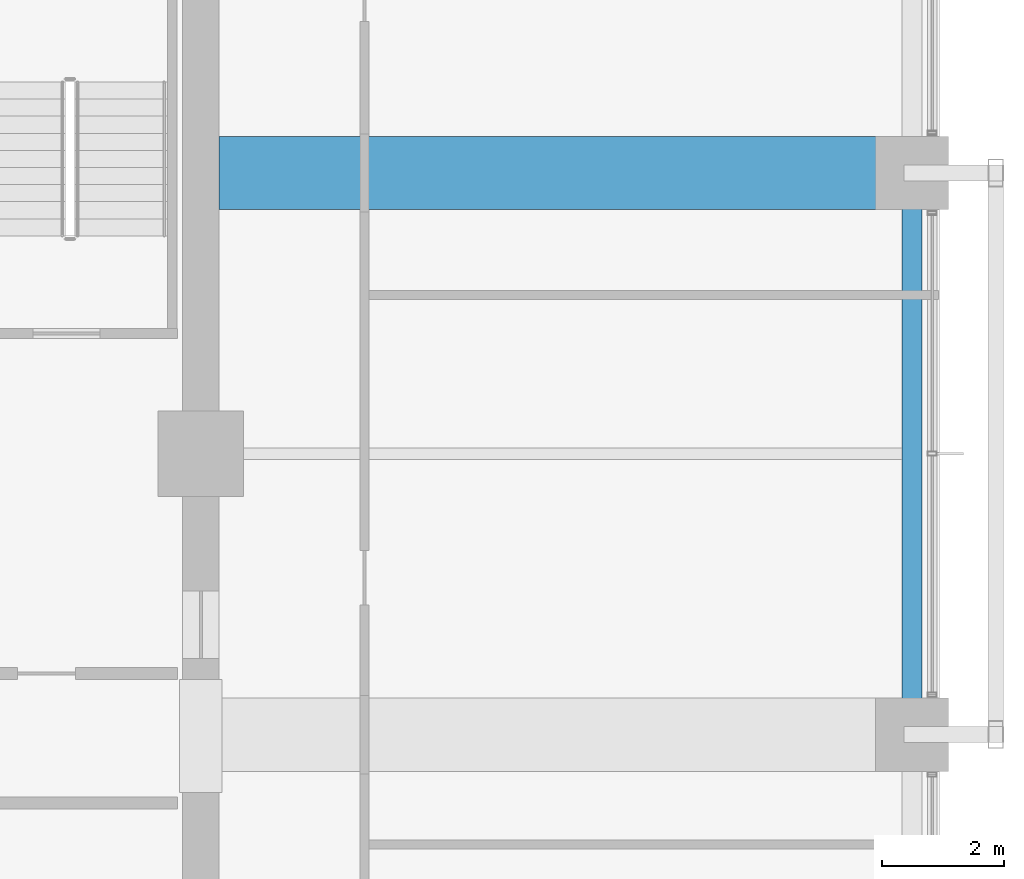
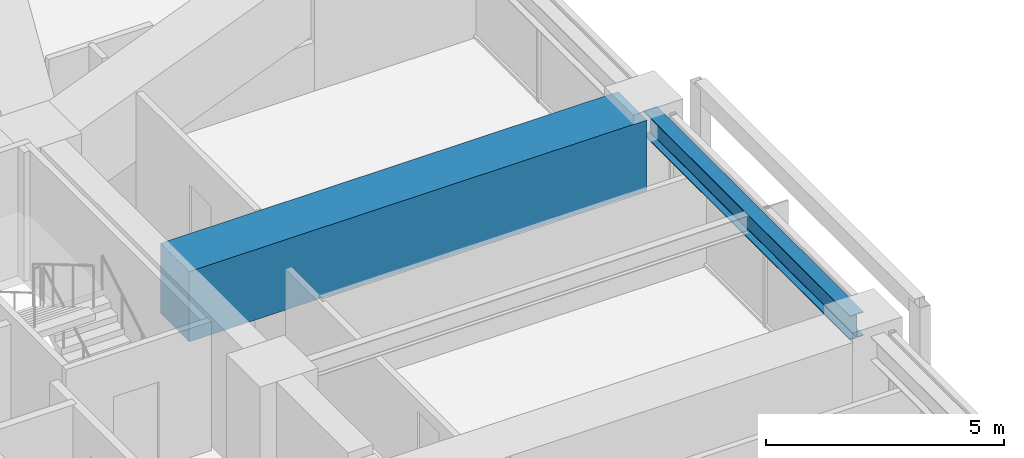
# One storey, part 14 of 37: 2 beams.
"""IFC4 building model written with IfcOpenShell, lengths in metres."""

from ifc_helpers import new_model, si_unit, direction, frame, origin, origin_2d, place, context, subcontext, project, spatial, rectangle, i_section, extrude, material, material_profile, profile_set, type_object, element, save


model = new_model("IFC4")

# Units and contexts
model_context = context("Model", 3, precision=1e-05, world=origin(), true_north=direction((0.0, 1.0)))
body_context = subcontext(model_context, "Body", "Model", "MODEL_VIEW")
ifc_project = project(units=[si_unit("LENGTHUNIT", "METRE"), si_unit("AREAUNIT", "SQUARE_METRE"), si_unit("VOLUMEUNIT", "CUBIC_METRE"), si_unit("PLANEANGLEUNIT", "RADIAN"), si_unit("MASSUNIT", "GRAM", prefix="KILO")], contexts=[model_context])

# Site, building, storey
site_placement = place(None, origin())
site = spatial("IfcSite", under=ifc_project, at=site_placement, CompositionType="ELEMENT")
building_placement = place(site_placement, origin())
building = spatial("IfcBuilding", under=site, at=building_placement, Name="Kolvaren Belvedere", CompositionType="ELEMENT")
storey_placement = place(building_placement, frame((0.0, 0.0, 56.800048828125)))
storey = spatial("IfcBuildingStorey", under=building, at=storey_placement, Name="L16", CompositionType="ELEMENT", Elevation=56.800048828125)

# Beams
ifc_material_1 = material(Name="Structural steel ASTM A992 Grade 50", Category="steel")
ifc_material_profile_1 = material_profile(ifc_material_1, i_section(OverallWidth=0.324951171875, OverallDepth=0.615966796875, WebThickness=0.013916015625, FlangeThickness=0.021484375, FilletRadius=0.02001953125, at=origin_2d()), Name="W24X117")
ifc_profile_set_1 = profile_set([ifc_material_profile_1], Name="Structural steel ASTM A992 Grade 50")
beam_type_1 = type_object("IfcBeamType", Name="BM-SPAN-W24X117", PredefinedType="SPANDREL", material=ifc_profile_set_1)
beam_1_placement = place(storey_placement, frame((21.550048828125, -4.330078125, 2.751953125), z_axis=(0.0, 1.0, 0.0), x_axis=(-1.0, 0.0, 0.0)))
element("IfcBeam", 1, at=beam_1_placement, inside=storey, type_object=beam_type_1, Name="L16 Perimeter Spandrel E2-E3", PredefinedType="SPANDREL", context=body_context, shape_type="SweptSolid", body=[
    extrude(i_section(OverallWidth=0.324951171875, OverallDepth=0.615966796875, WebThickness=0.013916015625, FlangeThickness=0.021484375, FilletRadius=0.02001953125, at=origin_2d()), origin(), (0.0, 0.0, 1.0), 8.66015625),
])
ifc_material_2 = material(Name="Concrete C50/60", Category="concrete")
ifc_material_profile_2 = material_profile(ifc_material_2, rectangle(XDim=1.199951171875, YDim=1.800048828125, at=origin_2d()), Name="RC 1200X1800")
ifc_profile_set_2 = profile_set([ifc_material_profile_2], Name="Concrete C50/60")
beam_type_2 = type_object("IfcBeamType", Name="BM-TG-1800", PredefinedType="BEAM", material=ifc_profile_set_2)
beam_2_placement = place(storey_placement, frame((10.199951171875, 4.60009765625, 2.159912109375), z_axis=(1.0, 0.0, 0.0), x_axis=(0.0, 1.0, 0.0)))
element("IfcBeam", 2, at=beam_2_placement, inside=storey, type_object=beam_type_2, Name="L16 East Radial Girder P", PredefinedType="BEAM", context=body_context, shape_type="SweptSolid", body=[
    extrude(rectangle(XDim=1.199951171875, YDim=1.800048828125, at=origin_2d()), origin(), (0.0, 0.0, 1.0), 11.080078125),
])

save(model, "model.ifc")
